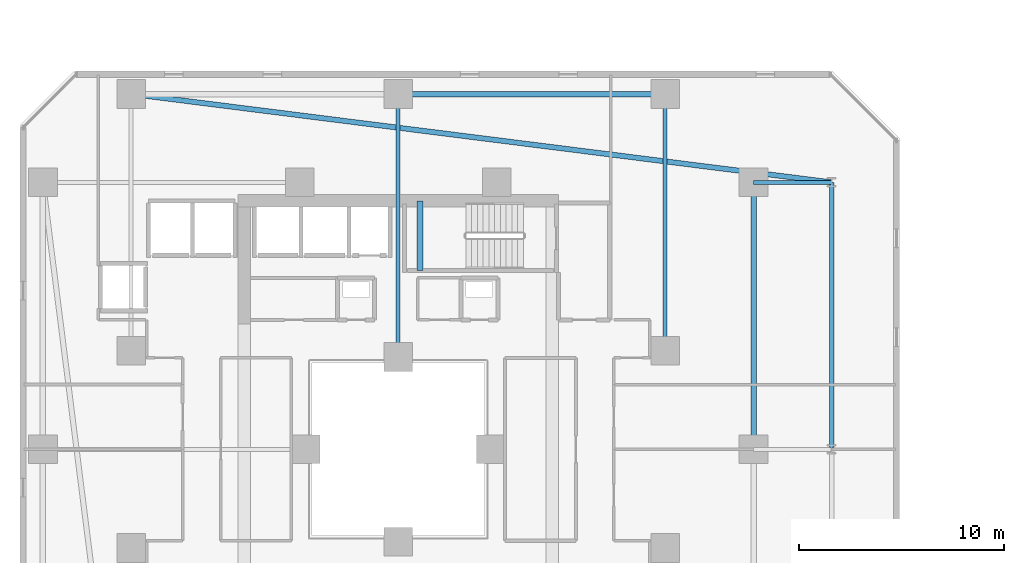
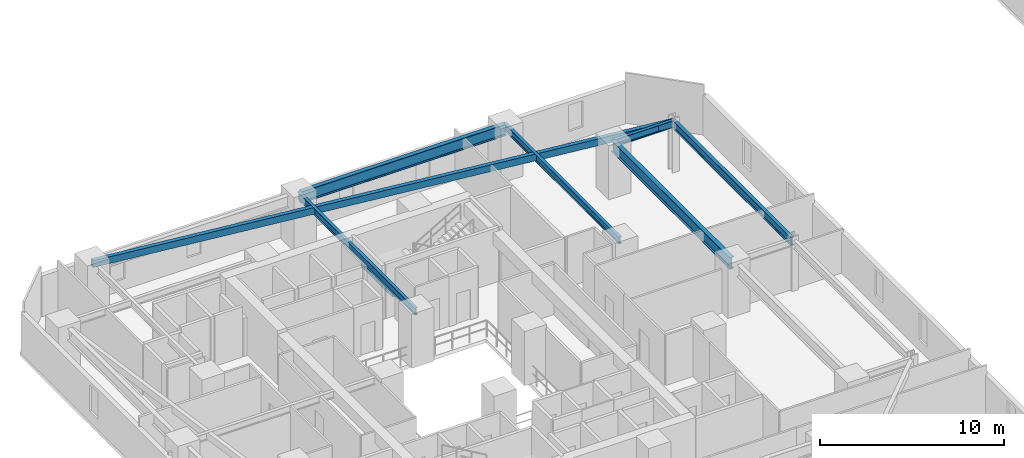
# One storey, part 9 of 34: 8 beams.
"""IFC4 building model written with IfcOpenShell, lengths in metres."""

from ifc_helpers import new_model, si_unit, direction, frame, origin, origin_2d, place, context, subcontext, project, spatial, rectangle, hollow_rectangle, i_section, extrude, material, material_profile, profile_set, type_object, element, save


model = new_model("IFC4")

# Units and contexts
model_context = context("Model", 3, precision=1e-05, world=origin(), true_north=direction((0.0, 1.0)))
body_context = subcontext(model_context, "Body", "Model", "MODEL_VIEW")
ifc_project = project(units=[si_unit("LENGTHUNIT", "METRE"), si_unit("AREAUNIT", "SQUARE_METRE"), si_unit("VOLUMEUNIT", "CUBIC_METRE"), si_unit("PLANEANGLEUNIT", "RADIAN"), si_unit("MASSUNIT", "GRAM", prefix="KILO")], contexts=[model_context])

# Site, building, storey
site_placement = place(None, origin())
site = spatial("IfcSite", under=ifc_project, at=site_placement, CompositionType="ELEMENT")
building_placement = place(site_placement, origin())
building = spatial("IfcBuilding", under=site, at=building_placement, Name="Thornwick Lancets Civic Towers", CompositionType="ELEMENT")
storey_placement = place(building_placement, frame((0.0, 0.0, 60.89990234375)))
storey = spatial("IfcBuildingStorey", under=building, at=storey_placement, Name="L15", CompositionType="ELEMENT", Elevation=60.89990234375)

# Beams
ifc_material_1 = material(Name="Steel S355JR", Category="steel")
ifc_material_profile_1 = material_profile(ifc_material_1, i_section(OverallWidth=0.2119140625, OverallDepth=0.54443359375, WebThickness=0.0126953125, FlangeThickness=0.021240234375, FilletRadius=0.0126953125, at=origin_2d()), Name="UKB 533x210x122")
ifc_profile_set_1 = profile_set([ifc_material_profile_1], Name="Steel S355JR")
beam_type_1 = type_object("IfcBeamType", Name="BM_EDGE_533_122", PredefinedType="SPANDREL", material=ifc_profile_set_1)
beam_1_placement = place(storey_placement, frame((46.60009765625, 27.080078125, 3.087890625), z_axis=(0.0, 1.0, 0.0), x_axis=(-1.0, 0.0, 0.0)))
element("IfcBeam", 1, at=beam_1_placement, inside=storey, type_object=beam_type_1, Name="BM-EDGE-L15-A-S1-2", PredefinedType="SPANDREL", context=body_context, shape_type="SweptSolid", body=[
    extrude(i_section(OverallWidth=0.2119140625, OverallDepth=0.54443359375, WebThickness=0.0126953125, FlangeThickness=0.021240234375, FilletRadius=0.0126953125, at=origin_2d()), origin(), (0.0, 0.0, 1.0), 12.919921875),
])
ifc_material_profile_2 = material_profile(ifc_material_1, i_section(OverallWidth=0.26806640625, OverallDepth=0.769775390625, WebThickness=0.015625, FlangeThickness=0.025390625, FilletRadius=0.0166015625, at=origin_2d()), Name="UKB 762x267x197")
ifc_profile_set_2 = profile_set([ifc_material_profile_2], Name="Steel S355JR")
beam_type_2 = type_object("IfcBeamType", Name="BM_GIRD_762_197", PredefinedType="BEAM", material=ifc_profile_set_2)
for number, where, z_axis, x_axis, name in (
    (2, (42.800048828125, 27.080078125, 2.97509765625), (0.0, 1.0, 0.0), (-1.0, 0.0, 0.0), "BM-SPINE-L15-A-4-5"),
    (3, (25.580078125, 44.300048828125, 2.97509765625), (1.0, 0.0, 0.0), (0.0, 1.0, 0.0), "BM-SPINE-L15-A-7-8"),
):
    element("IfcBeam", number, at=place(storey_placement, frame(where, z_axis=z_axis, x_axis=x_axis)), inside=storey, type_object=beam_type_2, Name=name, PredefinedType="BEAM", context=body_context, shape_type="SweptSolid", body=[
        extrude(i_section(OverallWidth=0.26806640625, OverallDepth=0.769775390625, WebThickness=0.015625, FlangeThickness=0.025390625, FilletRadius=0.0166015625, at=origin_2d()), origin(), (0.0, 0.0, 1.0), 12.919921875),
    ])
ifc_material_profile_3 = material_profile(ifc_material_1, i_section(OverallWidth=0.19287109375, OverallDepth=0.46728515625, WebThickness=0.011474609375, FlangeThickness=0.01953125, FilletRadius=0.01025390625, at=origin_2d()), Name="UKB 457x191x98")
ifc_profile_set_3 = profile_set([ifc_material_profile_3], Name="Steel S355JR")
beam_type_3 = type_object("IfcBeamType", Name="BM_JOIST_457_98", PredefinedType="JOIST", material=ifc_profile_set_3)
beam_2_placement = place(storey_placement, frame((42.800048828125, 40.0, 3.12646484375), z_axis=(1.0, 0.0, 0.0), x_axis=(0.0, 1.0, 0.0)))
element("IfcBeam", 4, at=beam_2_placement, inside=storey, type_object=beam_type_3, Name="BM-RAD-L15-A06", PredefinedType="JOIST", context=body_context, shape_type="SweptSolid", body=[
    extrude(i_section(OverallWidth=0.19287109375, OverallDepth=0.46728515625, WebThickness=0.011474609375, FlangeThickness=0.01953125, FilletRadius=0.01025390625, at=origin_2d()), origin(), (0.0, 0.0, 1.0), 3.800048828125),
])
beam_3_placement = place(storey_placement, frame((25.5, 31.5, 3.12646484375), z_axis=(0.0, 1.0, 0.0), x_axis=(-1.0, 0.0, 0.0)))
element("IfcBeam", 5, at=beam_3_placement, inside=storey, type_object=beam_type_3, Name="BM-RADIN-L15-A08", PredefinedType="JOIST", context=body_context, shape_type="SweptSolid", body=[
    extrude(i_section(OverallWidth=0.19287109375, OverallDepth=0.46728515625, WebThickness=0.011474609375, FlangeThickness=0.01953125, FilletRadius=0.01025390625, at=origin_2d()), origin(), (0.0, 0.0, 1.0), 12.800048828125),
])
beam_4_placement = place(storey_placement, frame((38.5, 31.800048828125, 3.12646484375), z_axis=(0.0, 1.0, 0.0), x_axis=(-1.0, 0.0, 0.0)))
element("IfcBeam", 6, at=beam_4_placement, inside=storey, type_object=beam_type_3, Name="BM-RADIN-L15-A09", PredefinedType="JOIST", context=body_context, shape_type="SweptSolid", body=[
    extrude(i_section(OverallWidth=0.19287109375, OverallDepth=0.46728515625, WebThickness=0.011474609375, FlangeThickness=0.01953125, FilletRadius=0.01025390625, at=origin_2d()), origin(), (0.0, 0.0, 1.0), 12.5),
])
ifc_material_profile_4 = material_profile(ifc_material_1, hollow_rectangle(XDim=0.25, YDim=0.449951171875, WallThickness=0.01611328125, at=origin_2d()), Name="RHS 450x250x16")
ifc_profile_set_4 = profile_set([ifc_material_profile_4], Name="Steel S355JR")
beam_type_4 = type_object("IfcBeamType", Name="BM_RING_RHS450", PredefinedType="BEAM", material=ifc_profile_set_4)
beam_5_placement = place(storey_placement, frame((46.60009765625, 40.0, 3.135009765625), z_axis=(-0.992142878225, 0.12510998836, 0.0), x_axis=(-0.12510998836, -0.992142878225, 0.0)))
element("IfcBeam", 7, at=beam_5_placement, inside=storey, type_object=beam_type_4, Name="BM-CHAMF-L15-A-C1", PredefinedType="BEAM", context=body_context, shape_type="SweptSolid", body=[
    extrude(hollow_rectangle(XDim=0.25, YDim=0.449951171875, WallThickness=0.01611328125, at=origin_2d()), origin(), (0.0, 0.0, 1.0), 34.3701171875),
])
ifc_material_2 = material(Name="Concrete C40/50", Category="concrete")
ifc_material_profile_5 = material_profile(ifc_material_2, rectangle(XDim=0.300048828125, YDim=0.35009765625, at=origin_2d()), Name="RC 300x350")
ifc_profile_set_5 = profile_set([ifc_material_profile_5], Name="Concrete C40/50")
beam_type_5 = type_object("IfcBeamType", Name="BM_STAIR_LDG", PredefinedType="BEAM", material=ifc_profile_set_5)
beam_6_placement = place(storey_placement, frame((26.56494140625, 39.10009765625, 1.378173828125), z_axis=(0.0, -1.0, 0.0), x_axis=(1.0, 0.0, 0.0)))
element("IfcBeam", 8, at=beam_6_placement, inside=storey, type_object=beam_type_5, Name="L15 ST-A2 Landing Support Beam 1", PredefinedType="BEAM", context=body_context, shape_type="SweptSolid", body=[
    extrude(rectangle(XDim=0.300048828125, YDim=0.35009765625, at=origin_2d()), origin(), (0.0, 0.0, 1.0), 3.400146484375),
])

save(model, "model.ifc")
